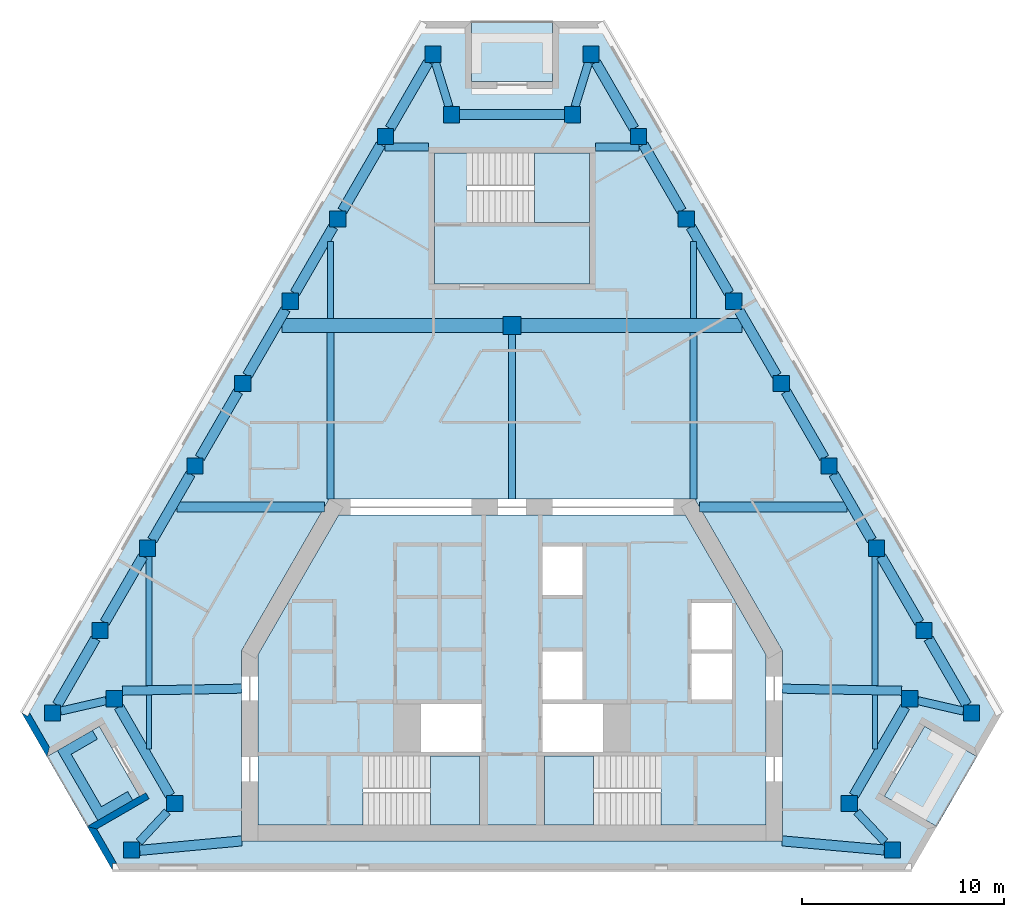
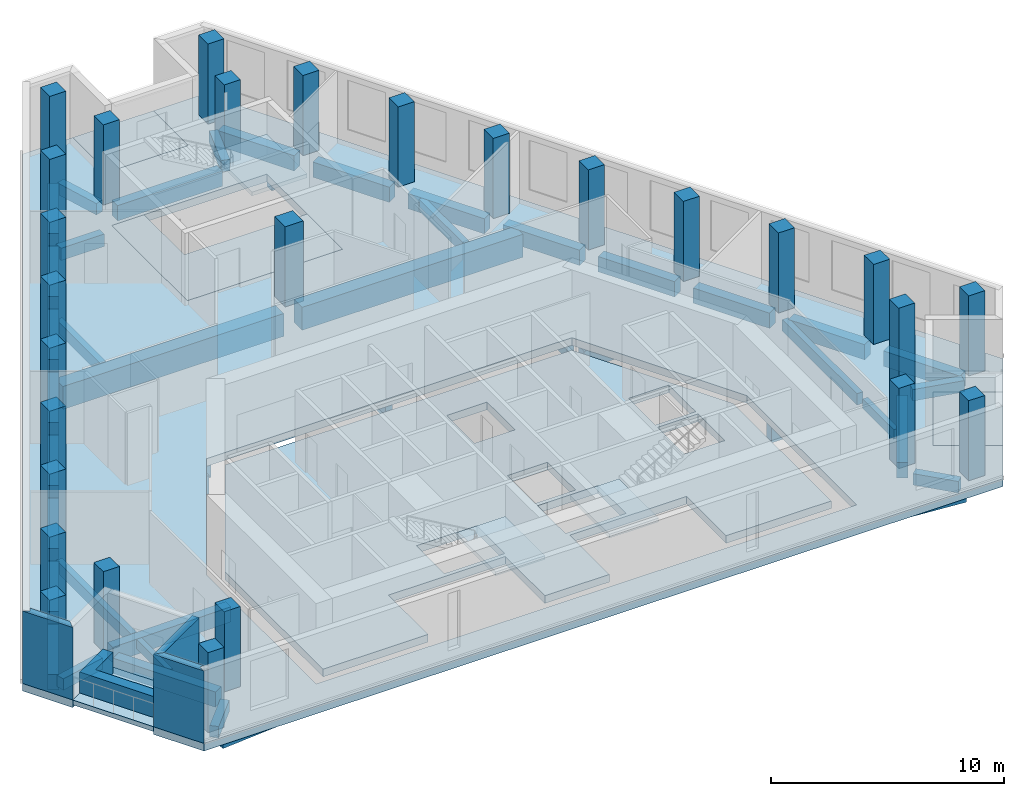
# One storey, part 1 of 8: 44 beams, 27 columns, 9 slabs, 4 walls, 3 elements without a shape of their own.
"""IFC4 building model written with IfcOpenShell, lengths in metres."""

from ifc_helpers import new_model, si_unit, direction, frame, origin, origin_2d, place, context, subcontext, project, spatial, polyline, rectangle, outline, extrude, material, layer, layer_set, material_profile, profile_set, type_object, element, aggregate, save


model = new_model("IFC4")

# Units and contexts
model_context = context("Model", 3, precision=1e-05, world=origin(), true_north=direction((0.0, 1.0)))
body_context = subcontext(model_context, "Body", "Model", "MODEL_VIEW")
ifc_project = project(units=[si_unit("LENGTHUNIT", "METRE"), si_unit("AREAUNIT", "SQUARE_METRE"), si_unit("VOLUMEUNIT", "CUBIC_METRE"), si_unit("PLANEANGLEUNIT", "RADIAN"), si_unit("MASSUNIT", "GRAM", prefix="KILO")], contexts=[model_context])

# Site, building, storey
site_placement = place(None, origin())
site = spatial("IfcSite", under=ifc_project, at=site_placement, CompositionType="ELEMENT")
building_placement = place(site_placement, origin())
building = spatial("IfcBuilding", under=site, at=building_placement, Name="Fogline Exchange Tower", CompositionType="ELEMENT")
storey_placement = place(building_placement, frame((0.0, 0.0, 330.89990234375)))
storey = spatial("IfcBuildingStorey", under=building, at=storey_placement, Name="L75", CompositionType="ELEMENT", Elevation=330.89990234375)

# Columns
ifc_material_1 = material(Name="Concrete C60", Category="concrete")
ifc_material_profile_1 = material_profile(ifc_material_1, rectangle(XDim=0.89990234375, YDim=0.89990234375, at=origin_2d()), Name="RC 900x900")
ifc_profile_set_1 = profile_set([ifc_material_profile_1], Name="Concrete C60")
column_type_1 = type_object("IfcColumnType", Name="C06", PredefinedType="COLUMN", material=ifc_profile_set_1)
column_placement = place(storey_placement, frame((0.0, 27.0, 0.0), z_axis=(0.0, 0.0, 1.0), x_axis=(1.0, 0.0, 0.0)))
element("IfcColumn", 1, at=column_placement, inside=storey, type_object=column_type_1, Name="IC-0-27", PredefinedType="COLUMN", context=body_context, shape_type="SweptSolid", body=[
    extrude(rectangle(XDim=0.89990234375, YDim=0.89990234375, at=origin_2d()), origin(), (0.0, 0.0, 1.0), 4.2001953125),
])
ifc_material_profile_2 = material_profile(ifc_material_1, rectangle(XDim=0.800048828125, YDim=0.800048828125, at=origin_2d()), Name="RC 800x800")
ifc_profile_set_2 = profile_set([ifc_material_profile_2], Name="Concrete C60")
column_type_2 = type_object("IfcColumnType", Name="C07", PredefinedType="COLUMN", material=ifc_profile_set_2)
for number, where, z_axis, x_axis, name in (
    (2, (-22.7802734375, 7.794189453125, 0.0), (0.0, 0.0, 1.0), (1.0, 0.0, 0.0), "SW-a"),
    (3, (-19.720947265625, 8.4951171875, 0.0), (0.0, 0.0, 1.0), (1.0, 0.0, 0.0), "SW-p4"),
    (4, (-16.720947265625, 3.299072265625, 0.0), (0.0, 0.0, 1.0), (1.0, 0.0, 0.0), "SW-p3"),
    (5, (-18.857666015625, 1.0, 0.0), (0.0, 0.0, 1.0), (1.0, 0.0, 0.0), "SW-b"),
    (6, (18.857666015625, 1.0, 0.0), (0.0, 0.0, 1.0), (1.0, 0.0, 0.0), "SE-a"),
    (7, (16.720947265625, 3.299072265625, 0.0), (0.0, 0.0, 1.0), (1.0, 0.0, 0.0), "SE-p4"),
    (8, (19.720947265625, 8.4951171875, 0.0), (0.0, 0.0, 1.0), (1.0, 0.0, 0.0), "SE-p3"),
    (9, (22.7802734375, 7.794189453125, 0.0), (0.0, 0.0, 1.0), (1.0, 0.0, 0.0), "SE-b"),
    (10, (20.423095703125, 11.876953125, 0.0), (0.0, 0.0, 1.0), (1.0, 0.0, 0.0), "E1"),
    (11, (18.06591796875, 15.959716796875, 0.0), (0.0, 0.0, 1.0), (1.0, 0.0, 0.0), "E2"),
    (12, (15.708740234375, 20.04248046875, 0.0), (0.0, 0.0, 1.0), (1.0, 0.0, 0.0), "E3"),
    (13, (13.3515625, 24.12548828125, 0.0), (0.0, 0.0, 1.0), (1.0, 0.0, 0.0), "E4"),
    (14, (10.994384765625, 28.208251953125, 0.0), (0.0, 0.0, 1.0), (1.0, 0.0, 0.0), "E5"),
    (15, (8.63720703125, 32.291015625, 0.0), (0.0, 0.0, 1.0), (1.0, 0.0, 0.0), "E6"),
    (16, (6.27978515625, 36.373779296875, 0.0), (0.0, 0.0, 1.0), (1.0, 0.0, 0.0), "E7"),
    (17, (3.922607421875, 40.456787109375, 0.0), (0.0, 0.0, 1.0), (1.0, 0.0, 0.0), "N-a"),
    (18, (3.0, 37.456787109375, 0.0), (0.0, 0.0, 1.0), (1.0, 0.0, 0.0), "N-p4"),
    (19, (-3.0, 37.456787109375, 0.0), (0.0, 0.0, 1.0), (1.0, 0.0, 0.0), "N-p3"),
    (20, (-3.922607421875, 40.456787109375, 0.0), (0.0, 0.0, 1.0), (1.0, 0.0, 0.0), "N-b"),
    (21, (-6.27978515625, 36.373779296875, 0.0), (0.0, 0.0, 1.0), (1.0, 0.0, 0.0), "W1"),
    (22, (-8.63720703125, 32.291015625, 0.0), (0.0, 0.0, 1.0), (1.0, 0.0, 0.0), "W2"),
    (23, (-10.994384765625, 28.208251953125, 0.0), (0.0, 0.0, 1.0), (1.0, 0.0, 0.0), "W3"),
    (24, (-13.3515625, 24.12548828125, 0.0), (0.0, 0.0, 1.0), (1.0, 0.0, 0.0), "W4"),
    (25, (-15.708740234375, 20.04248046875, 0.0), (0.0, 0.0, 1.0), (1.0, 0.0, 0.0), "W5"),
    (26, (-18.06591796875, 15.959716796875, 0.0), (0.0, 0.0, 1.0), (1.0, 0.0, 0.0), "W6"),
    (27, (-20.423095703125, 11.876953125, 0.0), (0.0, 0.0, 1.0), (1.0, 0.0, 0.0), "W7"),
):
    element("IfcColumn", number, at=place(storey_placement, frame(where, z_axis=z_axis, x_axis=x_axis)), inside=storey, type_object=column_type_2, Name=name, PredefinedType="COLUMN", context=body_context, shape_type="SweptSolid", body=[
        extrude(rectangle(XDim=0.800048828125, YDim=0.800048828125, at=origin_2d()), origin(), (0.0, 0.0, 1.0), 4.2001953125),
    ])

# Beams
ifc_material_2 = material(Name="Concrete C40", Category="concrete")
ifc_material_profile_3 = material_profile(ifc_material_2, rectangle(XDim=0.300048828125, YDim=0.60009765625, at=origin_2d()), Name="RC 300x600")
ifc_profile_set_3 = profile_set([ifc_material_profile_3], Name="Concrete C40")
beam_type_1 = type_object("IfcBeamType", Name="B06", PredefinedType="BEAM", material=ifc_profile_set_3)
beam_1_placement = place(storey_placement, frame((-18.0, 9.1435546875, -0.699951171875), z_axis=(0.0, 1.0, 0.0), x_axis=(-1.0, 0.0, 0.0)))
element("IfcBeam", 28, at=beam_1_placement, inside=storey, type_object=beam_type_1, Name="SB002", PredefinedType="BEAM", context=body_context, shape_type="SweptSolid", body=[
    extrude(rectangle(XDim=0.300048828125, YDim=0.60009765625, at=origin_2d()), origin(), (0.0, 0.0, 1.0), 6.416259765625),
])
for number, where, z_axis, x_axis, name in (
    (29, (-9.0, 27.35009765625, -0.699951171875), (0.0, 1.0, 0.0), (-1.0, 0.0, 0.0), "SB004"),
    (30, (9.0, 27.35009765625, -0.699951171875), (0.0, 1.0, 0.0), (-1.0, 0.0, 0.0), "SB007"),
):
    element("IfcBeam", number, at=place(storey_placement, frame(where, z_axis=z_axis, x_axis=x_axis)), inside=storey, type_object=beam_type_1, Name=name, PredefinedType="BEAM", context=body_context, shape_type="SweptSolid", body=[
        extrude(rectangle(XDim=0.300048828125, YDim=0.60009765625, at=origin_2d()), origin(), (0.0, 0.0, 1.0), 3.812255859375),
    ])
beam_2_placement = place(storey_placement, frame((18.0, 9.1435546875, -0.699951171875), z_axis=(0.0, 1.0, 0.0), x_axis=(-1.0, 0.0, 0.0)))
element("IfcBeam", 31, at=beam_2_placement, inside=storey, type_object=beam_type_1, Name="SB009", PredefinedType="BEAM", context=body_context, shape_type="SweptSolid", body=[
    extrude(rectangle(XDim=0.300048828125, YDim=0.60009765625, at=origin_2d()), origin(), (0.0, 0.0, 1.0), 6.416259765625),
])
ifc_material_profile_4 = material_profile(ifc_material_2, rectangle(XDim=0.25, YDim=0.5, at=origin_2d()), Name="RC 250x500")
ifc_profile_set_4 = profile_set([ifc_material_profile_4], Name="Concrete C40")
beam_type_2 = type_object("IfcBeamType", Name="B08", PredefinedType="BEAM", material=ifc_profile_set_4)
for number, where, z_axis, x_axis, name in (
    (32, (-18.0, 6.014404296875, -0.64990234375), (0.0, 1.0, 0.0), (-1.0, 0.0, 0.0), "SB001"),
    (33, (18.0, 6.014404296875, -0.64990234375), (0.0, 1.0, 0.0), (-1.0, 0.0, 0.0), "SB008"),
):
    element("IfcBeam", number, at=place(storey_placement, frame(where, z_axis=z_axis, x_axis=x_axis)), inside=storey, type_object=beam_type_2, Name=name, PredefinedType="BEAM", context=body_context, shape_type="SweptSolid", body=[
        extrude(rectangle(XDim=0.25, YDim=0.5, at=origin_2d()), origin(), (0.0, 0.0, 1.0), 2.67919921875),
    ])
ifc_material_profile_5 = material_profile(ifc_material_2, rectangle(XDim=0.5, YDim=0.800048828125, at=origin_2d()), Name="RC 500x800")
ifc_profile_set_5 = profile_set([ifc_material_profile_5], Name="Concrete C40")
beam_type_3 = type_object("IfcBeamType", Name="B10", PredefinedType="BEAM", material=ifc_profile_set_5)
beam_3_placement = place(storey_placement, frame((-19.489990234375, 8.09521484375, -0.7998046875), z_axis=(0.499987508774, -0.866032615477, 0.0), x_axis=(0.866032615477, 0.499987508774, 0.0)))
element("IfcBeam", 34, at=beam_3_placement, inside=storey, type_object=beam_type_3, Name="RB002", PredefinedType="BEAM", context=body_context, shape_type="SweptSolid", body=[
    extrude(rectangle(XDim=0.5, YDim=0.800048828125, at=origin_2d()), origin(), (0.0, 0.0, 1.0), 5.076416015625),
])
beam_4_placement = place(storey_placement, frame((-18.457763671875, 0.981689453125, -0.7998046875), z_axis=(0.995741736268, 0.092186737952, 0.0), x_axis=(-0.092186737952, 0.995741736268, 0.0)))
element("IfcBeam", 35, at=beam_4_placement, inside=storey, type_object=beam_type_3, Name="RB004", PredefinedType="BEAM", context=body_context, shape_type="SweptSolid", body=[
    extrude(rectangle(XDim=0.5, YDim=0.800048828125, at=origin_2d()), origin(), (0.0, 0.0, 1.0), 5.07958984375),
])
beam_5_placement = place(storey_placement, frame((13.39990234375, 1.449951171875, -0.7998046875), z_axis=(0.996066324908, -0.088610814153, 0.0), x_axis=(0.088610814153, 0.996066324908, 0.0)))
element("IfcBeam", 36, at=beam_5_placement, inside=storey, type_object=beam_type_3, Name="RB005", PredefinedType="BEAM", context=body_context, shape_type="SweptSolid", body=[
    extrude(rectangle(XDim=0.5, YDim=0.800048828125, at=origin_2d()), origin(), (0.0, 0.0, 1.0), 5.077880859375),
])
beam_6_placement = place(storey_placement, frame((16.951904296875, 3.698974609375, -0.7998046875), z_axis=(0.499987508774, 0.866032615477, 0.0), x_axis=(-0.866032615477, 0.499987508774, 0.0)))
element("IfcBeam", 37, at=beam_6_placement, inside=storey, type_object=beam_type_3, Name="RB007", PredefinedType="BEAM", context=body_context, shape_type="SweptSolid", body=[
    extrude(rectangle(XDim=0.5, YDim=0.800048828125, at=origin_2d()), origin(), (0.0, 0.0, 1.0), 5.076416015625),
])
beam_7_placement = place(storey_placement, frame((22.54931640625, 8.194091796875, -0.7998046875), z_axis=(-0.499969613651, 0.86604294664, 0.0), x_axis=(-0.86604294664, -0.499969613651, 0.0)))
element("IfcBeam", 38, at=beam_7_placement, inside=storey, type_object=beam_type_3, Name="RB009", PredefinedType="BEAM", context=body_context, shape_type="SweptSolid", body=[
    extrude(rectangle(XDim=0.5, YDim=0.800048828125, at=origin_2d()), origin(), (0.0, 0.0, 1.0), 3.790771484375),
])
for number, where, z_axis, x_axis, name in (
    (39, (20.192138671875, 12.277099609375, -0.7998046875), (-0.499997501644, 0.866026846206, 0.0), (-0.866026846206, -0.499997501644, 0.0), "RB010"),
    (40, (17.8349609375, 16.35986328125, -0.7998046875), (-0.499997501644, 0.866026846206, 0.0), (-0.866026846206, -0.499997501644, 0.0), "RB011"),
    (41, (15.477783203125, 20.442626953125, -0.7998046875), (-0.499997501644, 0.866026846206, 0.0), (-0.866026846206, -0.499997501644, 0.0), "RB012"),
):
    element("IfcBeam", number, at=place(storey_placement, frame(where, z_axis=z_axis, x_axis=x_axis)), inside=storey, type_object=beam_type_3, Name=name, PredefinedType="BEAM", context=body_context, shape_type="SweptSolid", body=[
        extrude(rectangle(XDim=0.5, YDim=0.800048828125, at=origin_2d()), origin(), (0.0, 0.0, 1.0), 3.79052734375),
    ])
for number, where, z_axis, x_axis, name in (
    (42, (13.12060546875, 24.525390625, -0.7998046875), (-0.500045805297, 0.865998956469, 0.0), (-0.865998956469, -0.500045805297, 0.0), "RB013"),
    (43, (10.76318359375, 28.608154296875, -0.7998046875), (-0.499969613651, 0.86604294664, 0.0), (-0.86604294664, -0.499969613651, 0.0), "RB014"),
    (44, (8.406005859375, 32.69091796875, -0.7998046875), (-0.499969613651, 0.86604294664, 0.0), (-0.86604294664, -0.499969613651, 0.0), "RB015"),
    (45, (6.048828125, 36.773681640625, -0.7998046875), (-0.499969613651, 0.86604294664, 0.0), (-0.86604294664, -0.499969613651, 0.0), "RB016"),
):
    element("IfcBeam", number, at=place(storey_placement, frame(where, z_axis=z_axis, x_axis=x_axis)), inside=storey, type_object=beam_type_3, Name=name, PredefinedType="BEAM", context=body_context, shape_type="SweptSolid", body=[
        extrude(rectangle(XDim=0.5, YDim=0.800048828125, at=origin_2d()), origin(), (0.0, 0.0, 1.0), 3.790771484375),
    ])
beam_8_placement = place(storey_placement, frame((2.60009765625, 37.456787109375, -0.7998046875), z_axis=(-1.0, 0.0, 0.0), x_axis=(0.0, -1.0, 0.0)))
element("IfcBeam", 46, at=beam_8_placement, inside=storey, type_object=beam_type_3, Name="RB018", PredefinedType="BEAM", context=body_context, shape_type="SweptSolid", body=[
    extrude(rectangle(XDim=0.5, YDim=0.800048828125, at=origin_2d()), origin(), (0.0, 0.0, 1.0), 5.2001953125),
])
for number, where, z_axis, x_axis, name in (
    (47, (-4.153564453125, 40.056640625, -0.7998046875), (-0.499969613651, -0.86604294664, 0.0), (0.86604294664, -0.499969613651, 0.0), "RB020"),
    (48, (-6.5107421875, 35.973876953125, -0.7998046875), (-0.499969613651, -0.86604294664, 0.0), (0.86604294664, -0.499969613651, 0.0), "RB021"),
    (49, (-8.867919921875, 31.89111328125, -0.7998046875), (-0.499969613651, -0.86604294664, 0.0), (0.86604294664, -0.499969613651, 0.0), "RB022"),
    (50, (-11.22509765625, 27.80810546875, -0.7998046875), (-0.500045805297, -0.865998956469, 0.0), (0.865998956469, -0.500045805297, 0.0), "RB023"),
):
    element("IfcBeam", number, at=place(storey_placement, frame(where, z_axis=z_axis, x_axis=x_axis)), inside=storey, type_object=beam_type_3, Name=name, PredefinedType="BEAM", context=body_context, shape_type="SweptSolid", body=[
        extrude(rectangle(XDim=0.5, YDim=0.800048828125, at=origin_2d()), origin(), (0.0, 0.0, 1.0), 3.790771484375),
    ])
for number, where, z_axis, x_axis, name in (
    (51, (-13.58251953125, 23.725341796875, -0.7998046875), (-0.499997501644, -0.866026846206, 0.0), (0.866026846206, -0.499997501644, 0.0), "RB024"),
    (52, (-15.939697265625, 19.642578125, -0.7998046875), (-0.499997501644, -0.866026846206, 0.0), (0.866026846206, -0.499997501644, 0.0), "RB025"),
    (53, (-18.296875, 15.559814453125, -0.7998046875), (-0.499997501644, -0.866026846206, 0.0), (0.866026846206, -0.499997501644, 0.0), "RB026"),
):
    element("IfcBeam", number, at=place(storey_placement, frame(where, z_axis=z_axis, x_axis=x_axis)), inside=storey, type_object=beam_type_3, Name=name, PredefinedType="BEAM", context=body_context, shape_type="SweptSolid", body=[
        extrude(rectangle(XDim=0.5, YDim=0.800048828125, at=origin_2d()), origin(), (0.0, 0.0, 1.0), 3.79052734375),
    ])
beam_9_placement = place(storey_placement, frame((-20.654052734375, 11.47705078125, -0.7998046875), z_axis=(-0.499969613651, -0.86604294664, 0.0), x_axis=(0.86604294664, -0.499969613651, 0.0)))
element("IfcBeam", 54, at=beam_9_placement, inside=storey, type_object=beam_type_3, Name="RB027", PredefinedType="BEAM", context=body_context, shape_type="SweptSolid", body=[
    extrude(rectangle(XDim=0.5, YDim=0.800048828125, at=origin_2d()), origin(), (0.0, 0.0, 1.0), 3.790771484375),
])
ifc_material_profile_6 = material_profile(ifc_material_2, rectangle(XDim=0.39990234375, YDim=0.60009765625, at=origin_2d()), Name="RC 400x600")
ifc_profile_set_6 = profile_set([ifc_material_profile_6], Name="Concrete C40")
beam_type_4 = type_object("IfcBeamType", Name="B11", PredefinedType="BEAM", material=ifc_profile_set_6)
beam_10_placement = place(storey_placement, frame((-22.38037109375, 7.885986328125, -0.699951171875), z_axis=(0.974753812703, 0.223282342834, 0.0), x_axis=(-0.223282342834, 0.974753812703, 0.0)))
element("IfcBeam", 55, at=beam_10_placement, inside=storey, type_object=beam_type_4, Name="RB001", PredefinedType="BEAM", context=body_context, shape_type="SweptSolid", body=[
    extrude(rectangle(XDim=0.39990234375, YDim=0.60009765625, at=origin_2d()), origin(), (0.0, 0.0, 1.0), 2.318115234375),
])
for number, where, z_axis, x_axis, name in (
    (56, (-17.0927734375, 2.89892578125, -0.699951171875), (-0.680743909802, -0.732521487239, 0.0), (0.732521487239, -0.680743909802, 0.0), "RB003"),
    (57, (18.48583984375, 1.39990234375, -0.699951171875), (-0.680743909802, 0.732521487239, 0.0), (-0.732521487239, -0.680743909802, 0.0), "RB006"),
):
    element("IfcBeam", number, at=place(storey_placement, frame(where, z_axis=z_axis, x_axis=x_axis)), inside=storey, type_object=beam_type_4, Name=name, PredefinedType="BEAM", context=body_context, shape_type="SweptSolid", body=[
        extrude(rectangle(XDim=0.39990234375, YDim=0.60009765625, at=origin_2d()), origin(), (0.0, 0.0, 1.0), 2.04638671875),
    ])
beam_11_placement = place(storey_placement, frame((20.120849609375, 8.403564453125, -0.699951171875), z_axis=(0.974753812703, -0.223282342834, 0.0), x_axis=(0.223282342834, 0.974753812703, 0.0)))
element("IfcBeam", 58, at=beam_11_placement, inside=storey, type_object=beam_type_4, Name="RB008", PredefinedType="BEAM", context=body_context, shape_type="SweptSolid", body=[
    extrude(rectangle(XDim=0.39990234375, YDim=0.60009765625, at=origin_2d()), origin(), (0.0, 0.0, 1.0), 2.318115234375),
])
for number, where, z_axis, x_axis, name in (
    (59, (3.799560546875, 40.056640625, -0.699951171875), (-0.293929314998, -0.955827158949, 0.0), (0.955827158949, -0.293929314998, 0.0), "RB017"),
    (60, (-3.123046875, 37.856689453125, -0.699951171875), (-0.293929314998, 0.955827158949, 0.0), (-0.955827158949, -0.293929314998, 0.0), "RB019"),
):
    element("IfcBeam", number, at=place(storey_placement, frame(where, z_axis=z_axis, x_axis=x_axis)), inside=storey, type_object=beam_type_4, Name=name, PredefinedType="BEAM", context=body_context, shape_type="SweptSolid", body=[
        extrude(rectangle(XDim=0.39990234375, YDim=0.60009765625, at=origin_2d()), origin(), (0.0, 0.0, 1.0), 2.301513671875),
    ])
ifc_material_profile_7 = material_profile(ifc_material_2, rectangle(XDim=0.39990234375, YDim=0.64990234375, at=origin_2d()), Name="RC 400x650")
ifc_profile_set_7 = profile_set([ifc_material_profile_7], Name="Concrete C40")
beam_type_5 = type_object("IfcBeamType", Name="B13", PredefinedType="BEAM", material=ifc_profile_set_7)
for number, where, z_axis, x_axis, name in (
    (61, (-6.308349609375, 35.85693359375, -0.724853515625), (1.0, 0.0, 0.0), (0.0, 1.0, 0.0), "GB007"),
    (62, (4.14990234375, 35.85693359375, -0.724853515625), (1.0, 0.0, 0.0), (0.0, 1.0, 0.0), "GB008"),
):
    element("IfcBeam", number, at=place(storey_placement, frame(where, z_axis=z_axis, x_axis=x_axis)), inside=storey, type_object=beam_type_5, Name=name, PredefinedType="BEAM", context=body_context, shape_type="SweptSolid", body=[
        extrude(rectangle(XDim=0.39990234375, YDim=0.64990234375, at=origin_2d()), origin(), (0.0, 0.0, 1.0), 2.158447265625),
    ])
ifc_material_profile_8 = material_profile(ifc_material_2, rectangle(XDim=0.5, YDim=0.949951171875, at=origin_2d()), Name="RC 500x950")
ifc_profile_set_8 = profile_set([ifc_material_profile_8], Name="Concrete C40")
beam_type_6 = type_object("IfcBeamType", Name="B14", PredefinedType="BEAM", material=ifc_profile_set_8)
for number, where, z_axis, x_axis, name in (
    (63, (-16.599365234375, 18.0, -0.875), (1.0, 0.0, 0.0), (0.0, 1.0, 0.0), "GB003"),
    (64, (9.296142578125, 18.0, -0.875), (1.0, 0.0, 0.0), (0.0, 1.0, 0.0), "GB004"),
):
    element("IfcBeam", number, at=place(storey_placement, frame(where, z_axis=z_axis, x_axis=x_axis)), inside=storey, type_object=beam_type_6, Name=name, PredefinedType="BEAM", context=body_context, shape_type="SweptSolid", body=[
        extrude(rectangle(XDim=0.5, YDim=0.949951171875, at=origin_2d()), origin(), (0.0, 0.0, 1.0), 7.30322265625),
    ])
ifc_material_profile_9 = material_profile(ifc_material_2, rectangle(XDim=0.35009765625, YDim=0.64990234375, at=origin_2d()), Name="RC 350x650")
ifc_profile_set_9 = profile_set([ifc_material_profile_9], Name="Concrete C40")
beam_type_7 = type_object("IfcBeamType", Name="B16", PredefinedType="BEAM", material=ifc_profile_set_9)
beam_12_placement = place(storey_placement, frame((-9.0, 18.39990234375, -0.724853515625), z_axis=(0.0, 1.0, 0.0), x_axis=(-1.0, 0.0, 0.0)))
element("IfcBeam", 65, at=beam_12_placement, inside=storey, type_object=beam_type_7, Name="SB003", PredefinedType="BEAM", context=body_context, shape_type="SweptSolid", body=[
    extrude(rectangle(XDim=0.35009765625, YDim=0.64990234375, at=origin_2d()), origin(), (0.0, 0.0, 1.0), 8.25),
])
beam_13_placement = place(storey_placement, frame((0.0, 18.39990234375, -0.724853515625), z_axis=(0.0, 1.0, 0.0), x_axis=(-1.0, 0.0, 0.0)))
element("IfcBeam", 66, at=beam_13_placement, inside=storey, type_object=beam_type_7, Name="SB005", PredefinedType="BEAM", context=body_context, shape_type="SweptSolid", body=[
    extrude(rectangle(XDim=0.35009765625, YDim=0.64990234375, at=origin_2d()), origin(), (0.0, 0.0, 1.0), 8.150146484375),
])
beam_14_placement = place(storey_placement, frame((9.0, 18.39990234375, -0.724853515625), z_axis=(0.0, 1.0, 0.0), x_axis=(-1.0, 0.0, 0.0)))
element("IfcBeam", 67, at=beam_14_placement, inside=storey, type_object=beam_type_7, Name="SB006", PredefinedType="BEAM", context=body_context, shape_type="SweptSolid", body=[
    extrude(rectangle(XDim=0.35009765625, YDim=0.64990234375, at=origin_2d()), origin(), (0.0, 0.0, 1.0), 8.25),
])
ifc_material_profile_10 = material_profile(ifc_material_2, rectangle(XDim=0.699951171875, YDim=1.199951171875, at=origin_2d()), Name="RC 700x1200")
ifc_profile_set_10 = profile_set([ifc_material_profile_10], Name="Concrete C40")
beam_type_8 = type_object("IfcBeamType", Name="B17", PredefinedType="BEAM", material=ifc_profile_set_10)
for number, where, z_axis, x_axis, name in (
    (68, (-11.4033203125, 27.0, -1.0), (1.0, 0.0, 0.0), (0.0, 1.0, 0.0), "GB005"),
    (69, (0.449951171875, 27.0, -1.0), (1.0, 0.0, 0.0), (0.0, 1.0, 0.0), "GB006"),
):
    element("IfcBeam", number, at=place(storey_placement, frame(where, z_axis=z_axis, x_axis=x_axis)), inside=storey, type_object=beam_type_8, Name=name, PredefinedType="BEAM", context=body_context, shape_type="SweptSolid", body=[
        extrude(rectangle(XDim=0.699951171875, YDim=1.199951171875, at=origin_2d()), origin(), (0.0, 0.0, 1.0), 10.953369140625),
    ])
ifc_material_profile_11 = material_profile(ifc_material_2, rectangle(XDim=0.449951171875, YDim=0.800048828125, at=origin_2d()), Name="RC 450x800")
ifc_profile_set_11 = profile_set([ifc_material_profile_11], Name="Concrete C40")
beam_type_9 = type_object("IfcBeamType", Name="B18", PredefinedType="BEAM", material=ifc_profile_set_11)
for number, where, z_axis, x_axis, name in (
    (70, (-19.32080078125, 8.895263671875, -0.7998046875), (0.9998435817, 0.017686495817, 0.0), (-0.017686495817, 0.9998435817, 0.0), "GB001"),
    (71, (13.39990234375, 9.0, -0.7998046875), (0.9998435817, -0.017686495817, 0.0), (0.017686495817, 0.9998435817, 0.0), "GB002"),
):
    element("IfcBeam", number, at=place(storey_placement, frame(where, z_axis=z_axis, x_axis=x_axis)), inside=storey, type_object=beam_type_9, Name=name, PredefinedType="BEAM", context=body_context, shape_type="SweptSolid", body=[
        extrude(rectangle(XDim=0.449951171875, YDim=0.800048828125, at=origin_2d()), origin(), (0.0, 0.0, 1.0), 5.921875),
    ])

# Slabs
ifc_layer_1 = layer(ifc_material_2, 0.25)
ifc_layer_set_1 = layer_set([ifc_layer_1], Name="DK1")
slab_type_1 = type_object("IfcSlabType", Name="DK1", PredefinedType="FLOOR", material=ifc_layer_set_1)
slab_1_placement = place(storey_placement, frame((0.0, 0.0, -0.25)))
element("IfcSlab", 72, at=slab_1_placement, inside=storey, type_object=slab_type_1, Name="Balcony L75 SW", PredefinedType="FLOOR", context=body_context, shape_type="SweptSolid", body=[
    extrude(outline(polyline([(-23.057373046875, 5.629150390625), (-21.057373046875, 2.1650390625), (-18.459228515625, 3.6650390625), (-20.459228515625, 7.129150390625), (-23.057373046875, 5.629150390625)])), origin(), (0.0, 0.0, 1.0), 0.25),
])
slab_2_placement = place(storey_placement, frame((0.0, 0.0, -0.25)))
element("IfcSlab", 73, at=slab_2_placement, inside=storey, type_object=slab_type_1, Name="Balcony L75 SE", PredefinedType="FLOOR", context=body_context, shape_type="SweptSolid", body=[
    extrude(outline(polyline([(21.057373046875, 2.1650390625), (23.057373046875, 5.629150390625), (20.459228515625, 7.129150390625), (18.459228515625, 3.6650390625), (21.057373046875, 2.1650390625)])), origin(), (0.0, 0.0, 1.0), 0.25),
])
slab_3_placement = place(storey_placement, frame((0.0, 0.0, -0.25)))
element("IfcSlab", 74, at=slab_3_placement, inside=storey, type_object=slab_type_1, Name="Balcony L75 N", PredefinedType="FLOOR", context=body_context, shape_type="SweptSolid", body=[
    extrude(outline(polyline([(2.0, 42.101806640625), (-2.0, 42.101806640625), (-2.0, 39.101806640625), (2.0, 39.101806640625), (2.0, 42.101806640625)])), origin(), (0.0, 0.0, 1.0), 0.25),
])
ifc_layer_2 = layer(ifc_material_2, 0.39990234375)
ifc_layer_set_2 = layer_set([ifc_layer_2], Name="S03")
slab_type_2 = type_object("IfcSlabType", Name="S03", PredefinedType="FLOOR", material=ifc_layer_set_2)
slab_4_placement = place(storey_placement, frame((0.0, 0.0, -0.39990234375)))
element("IfcSlab", 75, at=slab_4_placement, inside=storey, type_object=slab_type_2, Name="SLAB L75", PredefinedType="FLOOR", context=body_context, shape_type="SweptSolid", body=[
    extrude(outline(polyline([(-2.0, 42.101806640625), (-4.5, 42.101806640625), (-24.307373046875, 7.794189453125), (-23.057373046875, 5.629150390625), (-20.459228515625, 7.129150390625), (-18.459228515625, 3.6650390625), (-21.057373046875, 2.1650390625), (-19.807373046875, 0.0), (19.807373046875, 0.0), (21.057373046875, 2.1650390625), (18.459228515625, 3.6650390625), (20.459228515625, 7.129150390625), (23.057373046875, 5.629150390625), (24.307373046875, 7.794189453125), (4.5, 42.101806640625), (2.0, 42.101806640625), (2.0, 39.101806640625), (-2.0, 39.101806640625), (-2.0, 42.101806640625)]), holes=[polyline([(13.39990234375, 10.891845703125), (13.39990234375, 1.449951171875), (-13.39990234375, 1.449951171875), (-13.39990234375, 10.891845703125), (-9.065185546875, 18.39990234375), (9.065185546875, 18.39990234375), (13.39990234375, 10.891845703125)]), polyline([(3.85009765625, 35.556884765625), (3.85009765625, 29.056884765625), (-3.85009765625, 29.056884765625), (-3.85009765625, 35.556884765625), (3.85009765625, 35.556884765625)])]), origin(), (0.0, 0.0, 1.0), 0.39990234375),
])
slab_5_placement = place(storey_placement, frame((0.0, 0.0, -0.39990234375)))
element("IfcSlab", 76, at=slab_5_placement, inside=storey, type_object=slab_type_2, Name="Core floor slab", PredefinedType="FLOOR", context=body_context, shape_type="SweptSolid", body=[
    extrude(outline(polyline([(-12.60009765625, 2.25), (-12.60009765625, 10.677490234375), (-8.603271484375, 17.60009765625), (8.603271484375, 17.60009765625), (12.60009765625, 10.677490234375), (12.60009765625, 2.25), (7.389892578125, 2.25), (7.389892578125, 5.64990234375), (1.60009765625, 5.64990234375), (1.60009765625, 2.25), (-1.60009765625, 2.25), (-1.60009765625, 5.64990234375), (-7.389892578125, 5.64990234375), (-7.389892578125, 2.25), (-12.60009765625, 2.25)]), holes=[polyline([(-4.5, 8.25), (-4.5, 5.85009765625), (-1.5, 5.85009765625), (-1.5, 8.25), (-4.5, 8.25)]), polyline([(1.5, 8.25), (1.5, 5.85009765625), (4.5, 5.85009765625), (4.5, 8.25), (1.5, 8.25)]), polyline([(8.89990234375, 10.75), (8.89990234375, 8.449951171875), (10.89990234375, 8.449951171875), (10.89990234375, 10.75), (8.89990234375, 10.75)]), polyline([(1.5, 10.85009765625), (1.5, 8.449951171875), (3.5, 8.449951171875), (3.5, 10.85009765625), (1.5, 10.85009765625)]), polyline([(8.89990234375, 13.25), (8.89990234375, 10.949951171875), (10.89990234375, 10.949951171875), (10.89990234375, 13.25), (8.89990234375, 13.25)]), polyline([(1.5, 16.050048828125), (1.5, 13.64990234375), (3.5, 13.64990234375), (3.5, 16.050048828125), (1.5, 16.050048828125)])]), origin(), (0.0, 0.0, 1.0), 0.39990234375),
])
slab_6_placement = place(storey_placement, frame((0.0, 0.0, -0.39990234375)))
element("IfcSlab", 77, at=slab_6_placement, inside=storey, type_object=slab_type_2, Name="Stair enclosure floor slab", PredefinedType="FLOOR", context=body_context, shape_type="SweptSolid", body=[
    extrude(outline(polyline([(3.85009765625, 29.056884765625), (-3.85009765625, 29.056884765625), (-3.85009765625, 35.556884765625), (-2.239990234375, 35.556884765625), (-2.239990234375, 32.10693359375), (3.85009765625, 32.10693359375), (3.85009765625, 29.056884765625)])), origin(), (0.0, 0.0, 1.0), 0.39990234375),
])

# Stair, slab
stair_type = type_object("IfcStairType", Name="STR26-1615", PredefinedType="HALF_TURN_STAIR", material=ifc_material_2)
stair_1_placement = place(storey_placement, origin())
stair_1 = element("IfcStair", 78, at=stair_1_placement, inside=storey, type_object=stair_type, Name="Stair ST1", PredefinedType="HALF_TURN_STAIR")
ifc_layer_3 = layer(ifc_material_2, 0.199951171875)
ifc_layer_set_3 = layer_set([ifc_layer_3], Name="SL200")
slab_type_3 = type_object("IfcSlabType", Name="SL200", PredefinedType="LANDING", material=ifc_layer_set_3)
slab_7_placement = place(storey_placement, frame((0.0, 0.0, 1.900146484375)))
slab_7 = element("IfcSlab", 79, at=slab_7_placement, type_object=slab_type_3, Name="ST1 landing 1", PredefinedType="LANDING", context=body_context, shape_type="SweptSolid", body=[
    extrude(outline(polyline([(-4.0400390625, 2.25), (-1.60009765625, 2.25), (-1.60009765625, 5.64990234375), (-4.0400390625, 5.64990234375), (-4.0400390625, 2.25)])), origin(), (0.0, 0.0, 1.0), 0.199951171875),
])
aggregate(stair_1, [slab_7])

stair_2_placement = place(storey_placement, origin())
stair_2 = element("IfcStair", 80, at=stair_2_placement, inside=storey, type_object=stair_type, Name="Stair ST2", PredefinedType="HALF_TURN_STAIR")
slab_8_placement = place(storey_placement, frame((0.0, 0.0, 1.900146484375)))
slab_8 = element("IfcSlab", 81, at=slab_8_placement, type_object=slab_type_3, Name="ST2 landing 1", PredefinedType="LANDING", context=body_context, shape_type="SweptSolid", body=[
    extrude(outline(polyline([(1.60009765625, 2.25), (4.0400390625, 2.25), (4.0400390625, 5.64990234375), (1.60009765625, 5.64990234375), (1.60009765625, 2.25)])), origin(), (0.0, 0.0, 1.0), 0.199951171875),
])
aggregate(stair_2, [slab_8])

stair_3_placement = place(storey_placement, origin())
stair_3 = element("IfcStair", 82, at=stair_3_placement, inside=storey, type_object=stair_type, Name="Stair ST3", PredefinedType="HALF_TURN_STAIR")
slab_9_placement = place(storey_placement, frame((0.0, 0.0, 1.900146484375)))
slab_9 = element("IfcSlab", 83, at=slab_9_placement, type_object=slab_type_3, Name="ST3 landing 1", PredefinedType="LANDING", context=body_context, shape_type="SweptSolid", body=[
    extrude(outline(polyline([(1.110107421875, 32.10693359375), (3.85009765625, 32.10693359375), (3.85009765625, 35.556884765625), (1.110107421875, 35.556884765625), (1.110107421875, 32.10693359375)])), origin(), (0.0, 0.0, 1.0), 0.199951171875),
])
aggregate(stair_3, [slab_9])

# Walls
ifc_material_3 = material(Name="Brick masonry", Category="masonry")
ifc_layer_4 = layer(ifc_material_3, 0.340087890625)
ifc_layer_set_4 = layer_set([ifc_layer_4], Name="FW1")
wall_type_1 = type_object("IfcWallType", Name="FW1", PredefinedType="SOLIDWALL", material=ifc_layer_set_4)
wall_1_placement = place(storey_placement, origin())
element("IfcWall", 84, at=wall_1_placement, inside=storey, type_object=wall_type_1, Name="Brick wall L75 SW-c1", PredefinedType="SOLIDWALL", context=body_context, shape_type="SweptSolid", body=[
    extrude(outline(polyline([(-23.057373046875, 5.6279296875), (-24.308349609375, 7.794921875), (-24.30810546875, 7.79541015625), (-24.01318359375, 7.625), (-23.914794921875, 7.79541015625), (-22.932373046875, 6.09375), (-23.05712890625, 5.6279296875), (-23.057373046875, 5.6279296875)])), origin(), (0.0, 0.0, 1.0), 3.800048828125),
])
wall_2_placement = place(storey_placement, origin())
element("IfcWall", 85, at=wall_2_placement, inside=storey, type_object=wall_type_1, Name="Brick wall L75 SW-s2", PredefinedType="SOLIDWALL", context=body_context, shape_type="SweptSolid", body=[
    extrude(outline(polyline([(-21.05859375, 2.1650390625), (-18.459716796875, 3.66552734375), (-18.16455078125, 3.8359375), (-17.994140625, 3.540283203125), (-20.5927734375, 2.0400390625), (-21.05859375, 2.164794921875), (-21.05859375, 2.1650390625)])), origin(), (0.0, 0.0, 1.0), 3.800048828125),
])
wall_3_placement = place(storey_placement, origin())
element("IfcWall", 86, at=wall_3_placement, inside=storey, type_object=wall_type_1, Name="Brick wall L75 SW-c2", PredefinedType="SOLIDWALL", context=body_context, shape_type="SweptSolid", body=[
    extrude(outline(polyline([(-19.610107421875, 0.33935546875), (-19.806884765625, 0.33935546875), (-19.806884765625, -0.0009765625), (-19.807373046875, -0.001220703125), (-21.058349609375, 2.165771484375), (-21.058349609375, 2.166015625), (-20.592529296875, 2.041015625), (-19.610107421875, 0.33935546875)])), origin(), (0.0, 0.0, 1.0), 3.800048828125),
])
ifc_material_4 = material(Name="Concrete C30", Category="concrete")
ifc_layer_5 = layer(ifc_material_4, 0.199951171875)
ifc_layer_set_5 = layer_set([ifc_layer_5], Name="PL1")
wall_type_2 = type_object("IfcWallType", Name="PL1", PredefinedType="USERDEFINED", material=ifc_layer_set_5)
wall_4_placement = place(storey_placement, origin())
element("IfcWall", 87, at=wall_4_placement, inside=storey, type_object=wall_type_2, Name="PLANTER balcony L75 SW", ObjectType="PLANTER", PredefinedType="USERDEFINED", context=body_context, shape_type="SweptSolid", body=[
    extrude(outline(polyline([(-19.0556640625, 3.898193359375), (-20.354736328125, 3.148193359375), (-21.854736328125, 5.74609375), (-20.5556640625, 6.49609375), (-20.8056640625, 6.92919921875), (-22.537841796875, 5.92919921875), (-22.287841796875, 5.49609375), (-20.537841796875, 2.465087890625), (-20.104736328125, 2.715087890625), (-20.104736328125, 2.715087890625), (-18.8056640625, 3.465087890625), (-19.0556640625, 3.898193359375)])), origin(), (0.0, 0.0, 1.0), 1.10009765625),
])

save(model, "model.ifc")
